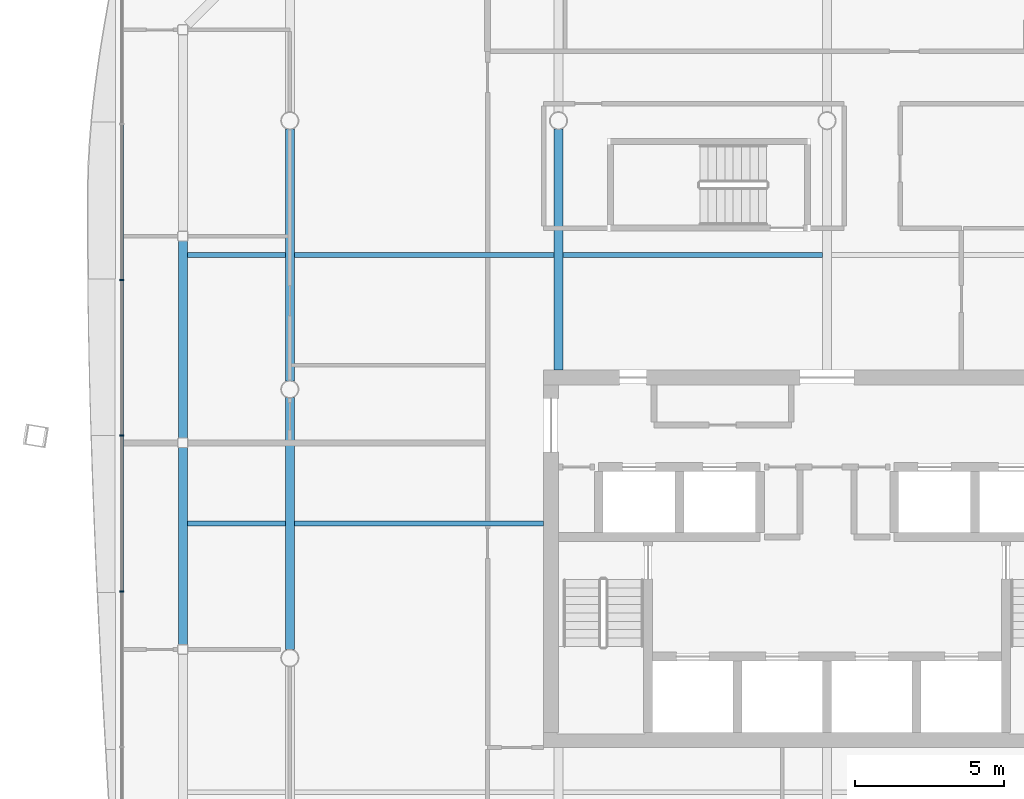
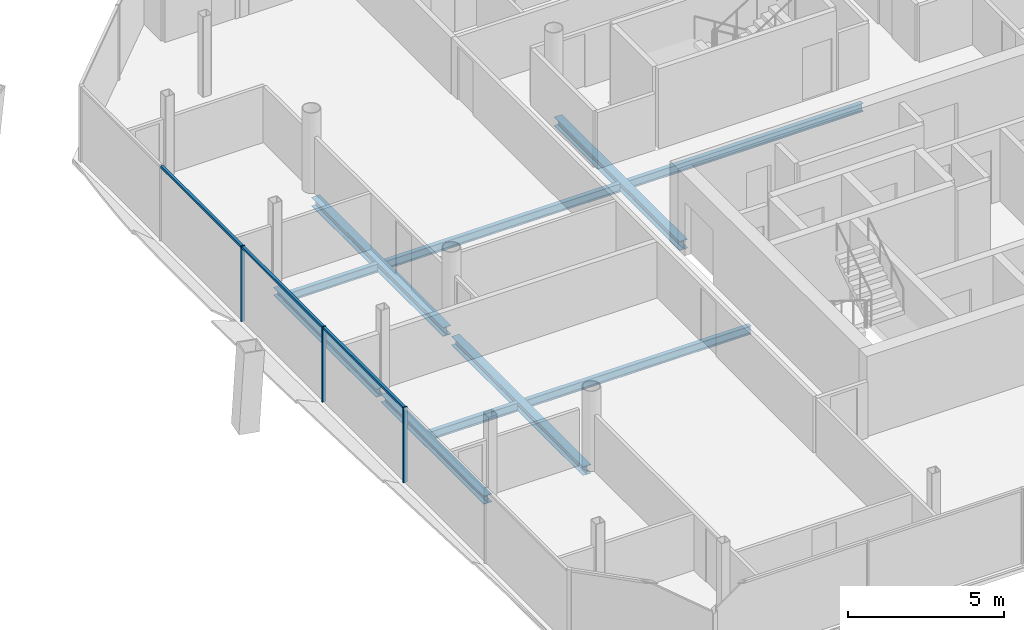
# One storey, part 6 of 20: 10 beams, 6 members, 1 element without a shape of its own.
"""IFC4 building model written with IfcOpenShell, lengths in metres."""

from ifc_helpers import new_model, si_unit, direction, frame, origin, origin_2d, place, context, subcontext, project, spatial, rectangle, i_section, extrude, material, material_profile, profile_set, type_object, element, aggregate, save


model = new_model("IFC4")

# Units and contexts
model_context = context("Model", 3, precision=1e-05, world=origin(), true_north=direction((0.0, 1.0)))
body_context = subcontext(model_context, "Body", "Model", "MODEL_VIEW")
ifc_project = project(units=[si_unit("LENGTHUNIT", "METRE"), si_unit("AREAUNIT", "SQUARE_METRE"), si_unit("VOLUMEUNIT", "CUBIC_METRE"), si_unit("PLANEANGLEUNIT", "RADIAN"), si_unit("MASSUNIT", "GRAM", prefix="KILO")], contexts=[model_context])

# Site, building, storey
site_placement = place(None, origin())
site = spatial("IfcSite", under=ifc_project, at=site_placement, CompositionType="ELEMENT")
building_placement = place(site_placement, origin())
building = spatial("IfcBuilding", under=site, at=building_placement, Name="Tskaro Facet Tower", CompositionType="ELEMENT")
storey_placement = place(building_placement, frame((0.0, 0.0, 184.800048828125)))
storey = spatial("IfcBuildingStorey", under=building, at=storey_placement, Name="L46", CompositionType="ELEMENT", Elevation=184.800048828125)

# Curtain wall, members
ifc_material_1 = material(Name="Bronze anodised aluminium 6063-T6", Category="aluminium")
curtain_wall_type = type_object("IfcCurtainWallType", Name="Bronze residence curtain wall (FW3)", PredefinedType="NOTDEFINED", material=ifc_material_1)
curtain_wall_placement = place(storey_placement, origin())
curtain_wall = element("IfcCurtainWall", 1, at=curtain_wall_placement, inside=storey, type_object=curtain_wall_type, Name="FW3 west facet L46", PredefinedType="NOTDEFINED")
ifc_material_profile_1 = material_profile(ifc_material_1, rectangle(XDim=0.050048828125, YDim=0.139892578125, at=origin_2d()), Name="Mullion 50x140")
ifc_profile_set_1 = profile_set([ifc_material_profile_1], Name="Bronze anodised aluminium 6063-T6")
member_type_1 = type_object("IfcMemberType", Name="FW3 bronze mullion 50x140", PredefinedType="MULLION", material=ifc_profile_set_1)
member_1_placement = place(storey_placement, frame((-23.6279296875, 3.66357421875, 0.0), z_axis=(0.0, 0.0, 1.0), x_axis=(0.0, -1.0, 0.0)))
member_1 = element("IfcMember", 2, at=member_1_placement, type_object=member_type_1, Name="FW3 west mullion 2", PredefinedType="MULLION", context=body_context, shape_type="SweptSolid", body=[
    extrude(rectangle(XDim=0.050048828125, YDim=0.139892578125, at=origin_2d()), origin(), (0.0, 0.0, 1.0), 2.949951171875),
])
member_2_placement = place(storey_placement, frame((-23.6279296875, -1.554443359375, 0.0), z_axis=(0.0, 0.0, 1.0), x_axis=(0.0, -1.0, 0.0)))
member_2 = element("IfcMember", 3, at=member_2_placement, type_object=member_type_1, Name="FW3 west mullion 3", PredefinedType="MULLION", context=body_context, shape_type="SweptSolid", body=[
    extrude(rectangle(XDim=0.050048828125, YDim=0.139892578125, at=origin_2d()), origin(), (0.0, 0.0, 1.0), 2.949951171875),
])
member_3_placement = place(storey_placement, frame((-23.6279296875, -6.772705078125, 0.0), z_axis=(0.0, 0.0, 1.0), x_axis=(0.0, -1.0, 0.0)))
member_3 = element("IfcMember", 4, at=member_3_placement, type_object=member_type_1, Name="FW3 west mullion 4", PredefinedType="MULLION", context=body_context, shape_type="SweptSolid", body=[
    extrude(rectangle(XDim=0.050048828125, YDim=0.139892578125, at=origin_2d()), origin(), (0.0, 0.0, 1.0), 2.949951171875),
])
ifc_material_profile_2 = material_profile(ifc_material_1, rectangle(XDim=0.10009765625, YDim=0.090087890625, at=origin_2d()), Name="Transom 100x90")
ifc_profile_set_2 = profile_set([ifc_material_profile_2], Name="Bronze anodised aluminium 6063-T6")
member_type_2 = type_object("IfcMemberType", Name="FW3 bronze transom 100x90", PredefinedType="USERDEFINED", material=ifc_profile_set_2)
member_4_placement = place(storey_placement, frame((-23.6279296875, 8.85693359375, 2.905029296875), z_axis=(0.0, -1.0, 0.0), x_axis=(1.0, 0.0, 0.0)))
member_4 = element("IfcMember", 5, at=member_4_placement, type_object=member_type_2, Name="FW3 west transom 2.1", ObjectType="TRANSOM", PredefinedType="USERDEFINED", context=body_context, shape_type="SweptSolid", body=[
    extrude(rectangle(XDim=0.10009765625, YDim=0.090087890625, at=origin_2d()), origin(), (0.0, 0.0, 1.0), 5.168212890625),
])
member_5_placement = place(storey_placement, frame((-23.6279296875, 3.638671875, 2.905029296875), z_axis=(0.0, -1.0, 0.0), x_axis=(1.0, 0.0, 0.0)))
member_5 = element("IfcMember", 6, at=member_5_placement, type_object=member_type_2, Name="FW3 west transom 3.1", ObjectType="TRANSOM", PredefinedType="USERDEFINED", context=body_context, shape_type="SweptSolid", body=[
    extrude(rectangle(XDim=0.10009765625, YDim=0.090087890625, at=origin_2d()), origin(), (0.0, 0.0, 1.0), 5.168212890625),
])
member_6_placement = place(storey_placement, frame((-23.6279296875, -1.57958984375, 2.905029296875), z_axis=(0.0, -1.0, 0.0), x_axis=(1.0, 0.0, 0.0)))
member_6 = element("IfcMember", 7, at=member_6_placement, type_object=member_type_2, Name="FW3 west transom 4.1", ObjectType="TRANSOM", PredefinedType="USERDEFINED", context=body_context, shape_type="SweptSolid", body=[
    extrude(rectangle(XDim=0.10009765625, YDim=0.090087890625, at=origin_2d()), origin(), (0.0, 0.0, 1.0), 5.16796875),
])
aggregate(curtain_wall, [member_1, member_2, member_3, member_4, member_5, member_6])

# Beams
ifc_material_2 = material(Name="Steel S355J2", Category="steel")
ifc_material_profile_3 = material_profile(ifc_material_2, i_section(OverallWidth=0.300048828125, OverallDepth=0.320068359375, WebThickness=0.011474609375, FlangeThickness=0.0205078125, FilletRadius=0.027099609375, at=origin_2d()), Name="HE 320 B")
ifc_profile_set_3 = profile_set([ifc_material_profile_3], Name="Steel S355J2")
beam_type_1 = type_object("IfcBeamType", Name="HE 320 B ring beam", PredefinedType="BEAM", material=ifc_profile_set_3)
beam_1_placement = place(storey_placement, frame((-21.5830078125, 4.970947265625, -0.300048828125), z_axis=(0.0, -1.0, 0.0), x_axis=(1.0, 0.0, 0.0)))
element("IfcBeam", 8, at=beam_1_placement, inside=storey, type_object=beam_type_1, Name="HE 320 B EB18-4", PredefinedType="BEAM", context=body_context, shape_type="SweptSolid", body=[
    extrude(i_section(OverallWidth=0.300048828125, OverallDepth=0.320068359375, WebThickness=0.011474609375, FlangeThickness=0.0205078125, FilletRadius=0.027099609375, at=origin_2d()), origin(), (0.0, 0.0, 1.0), 6.60888671875),
])
beam_2_placement = place(storey_placement, frame((-21.5830078125, -1.947998046875, -0.300048828125), z_axis=(0.0, -1.0, 0.0), x_axis=(1.0, 0.0, 0.0)))
element("IfcBeam", 9, at=beam_2_placement, inside=storey, type_object=beam_type_1, Name="HE 320 B EB19-4", PredefinedType="BEAM", context=body_context, shape_type="SweptSolid", body=[
    extrude(i_section(OverallWidth=0.300048828125, OverallDepth=0.320068359375, WebThickness=0.011474609375, FlangeThickness=0.0205078125, FilletRadius=0.027099609375, at=origin_2d()), origin(), (0.0, 0.0, 1.0), 6.610107421875),
])
ifc_material_profile_4 = material_profile(ifc_material_2, i_section(OverallWidth=0.300048828125, OverallDepth=0.35009765625, WebThickness=0.010009765625, FlangeThickness=0.017578125, FilletRadius=0.027099609375, at=origin_2d()), Name="HE 360 A")
ifc_profile_set_4 = profile_set([ifc_material_profile_4], Name="Steel S355J2")
beam_type_2 = type_object("IfcBeamType", Name="HE 360 A girder", PredefinedType="BEAM", material=ifc_profile_set_4)
for number, where, z_axis, x_axis, name in (
    (10, (-18.0, -8.72509765625, -0.31494140625), (0.0, 1.0, 0.0), (-1.0, 0.0, 0.0), "HE 360 A GB2-2-4"),
    (11, (-18.0, 0.27490234375, -0.31494140625), (0.0, 1.0, 0.0), (-1.0, 0.0, 0.0), "HE 360 A GB2-3-4"),
):
    element("IfcBeam", number, at=place(storey_placement, frame(where, z_axis=z_axis, x_axis=x_axis)), inside=storey, type_object=beam_type_2, Name=name, PredefinedType="BEAM", context=body_context, shape_type="SweptSolid", body=[
        extrude(i_section(OverallWidth=0.300048828125, OverallDepth=0.35009765625, WebThickness=0.010009765625, FlangeThickness=0.017578125, FilletRadius=0.027099609375, at=origin_2d()), origin(), (0.0, 0.0, 1.0), 8.4501953125),
    ])
beam_3_placement = place(storey_placement, frame((-9.0, 0.64990234375, -0.31494140625), z_axis=(0.0, 1.0, 0.0), x_axis=(-1.0, 0.0, 0.0)))
element("IfcBeam", 12, at=beam_3_placement, inside=storey, type_object=beam_type_2, Name="HE 360 A GB3-2-4", PredefinedType="BEAM", context=body_context, shape_type="SweptSolid", body=[
    extrude(i_section(OverallWidth=0.300048828125, OverallDepth=0.35009765625, WebThickness=0.010009765625, FlangeThickness=0.017578125, FilletRadius=0.027099609375, at=origin_2d()), origin(), (0.0, 0.0, 1.0), 8.0751953125),
])
ifc_material_profile_5 = material_profile(ifc_material_2, i_section(OverallWidth=0.159912109375, OverallDepth=0.330078125, WebThickness=0.007568359375, FlangeThickness=0.011474609375, FilletRadius=0.01806640625, at=origin_2d()), Name="IPE 330")
ifc_profile_set_5 = profile_set([ifc_material_profile_5], Name="Steel S355J2")
beam_type_3 = type_object("IfcBeamType", Name="IPE 330 secondary beam", PredefinedType="BEAM", material=ifc_profile_set_5)
beam_4_placement = place(storey_placement, frame((-21.43310546875, -4.5, -0.304931640625), z_axis=(1.0, 0.0, 0.0), x_axis=(0.0, 1.0, 0.0)))
element("IfcBeam", 13, at=beam_4_placement, inside=storey, type_object=beam_type_3, Name="IPE 330 SB3a-1-4", PredefinedType="BEAM", context=body_context, shape_type="SweptSolid", body=[
    extrude(i_section(OverallWidth=0.159912109375, OverallDepth=0.330078125, WebThickness=0.007568359375, FlangeThickness=0.011474609375, FilletRadius=0.01806640625, at=origin_2d()), origin(), (0.0, 0.0, 1.0), 3.283203125),
])
beam_5_placement = place(storey_placement, frame((-17.85009765625, -4.5, -0.304931640625), z_axis=(1.0, 0.0, 0.0), x_axis=(0.0, 1.0, 0.0)))
element("IfcBeam", 14, at=beam_5_placement, inside=storey, type_object=beam_type_3, Name="IPE 330 SB3a-2-4", PredefinedType="BEAM", context=body_context, shape_type="SweptSolid", body=[
    extrude(i_section(OverallWidth=0.159912109375, OverallDepth=0.330078125, WebThickness=0.007568359375, FlangeThickness=0.011474609375, FilletRadius=0.01806640625, at=origin_2d()), origin(), (0.0, 0.0, 1.0), 8.35009765625),
])
beam_6_placement = place(storey_placement, frame((-21.43310546875, 4.5, -0.304931640625), z_axis=(1.0, 0.0, 0.0), x_axis=(0.0, 1.0, 0.0)))
element("IfcBeam", 15, at=beam_6_placement, inside=storey, type_object=beam_type_3, Name="IPE 330 SB4a-1-4", PredefinedType="BEAM", context=body_context, shape_type="SweptSolid", body=[
    extrude(i_section(OverallWidth=0.159912109375, OverallDepth=0.330078125, WebThickness=0.007568359375, FlangeThickness=0.011474609375, FilletRadius=0.01806640625, at=origin_2d()), origin(), (0.0, 0.0, 1.0), 3.283203125),
])
for number, where, z_axis, x_axis, name in (
    (16, (-17.85009765625, 4.5, -0.304931640625), (1.0, 0.0, 0.0), (0.0, 1.0, 0.0), "IPE 330 SB4a-2-4"),
    (17, (-8.85009765625, 4.5, -0.304931640625), (1.0, 0.0, 0.0), (0.0, 1.0, 0.0), "IPE 330 SB4a-3-4"),
):
    element("IfcBeam", number, at=place(storey_placement, frame(where, z_axis=z_axis, x_axis=x_axis)), inside=storey, type_object=beam_type_3, Name=name, PredefinedType="BEAM", context=body_context, shape_type="SweptSolid", body=[
        extrude(i_section(OverallWidth=0.159912109375, OverallDepth=0.330078125, WebThickness=0.007568359375, FlangeThickness=0.011474609375, FilletRadius=0.01806640625, at=origin_2d()), origin(), (0.0, 0.0, 1.0), 8.7001953125),
    ])

save(model, "model.ifc")
